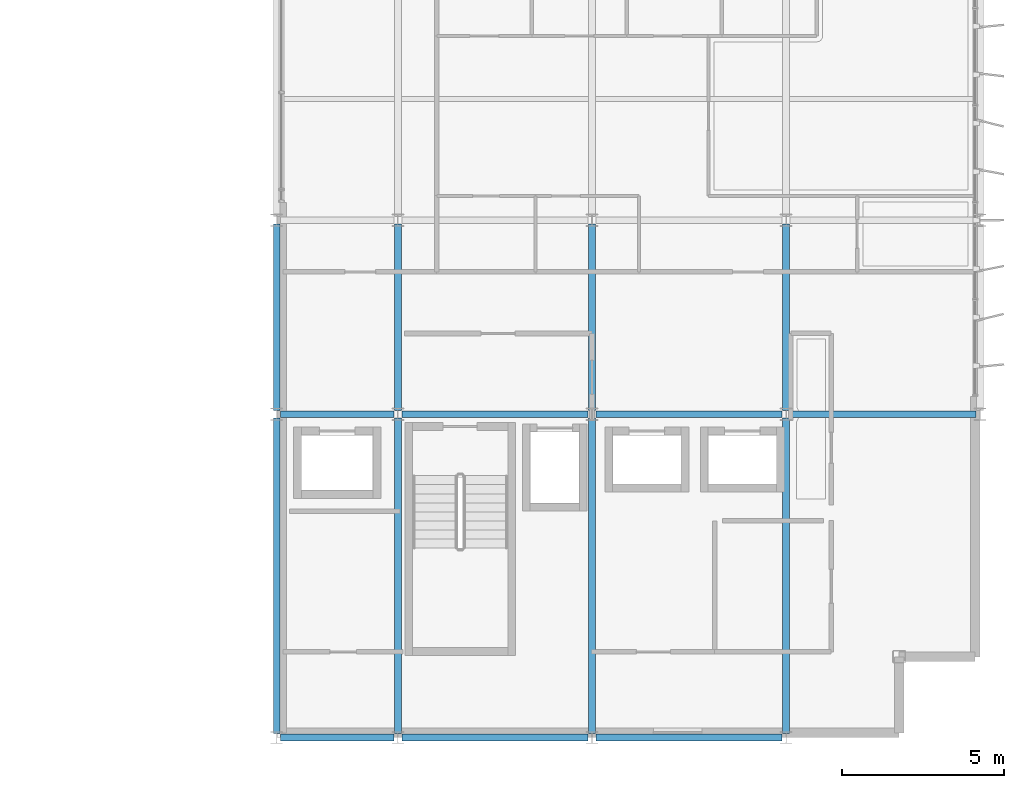
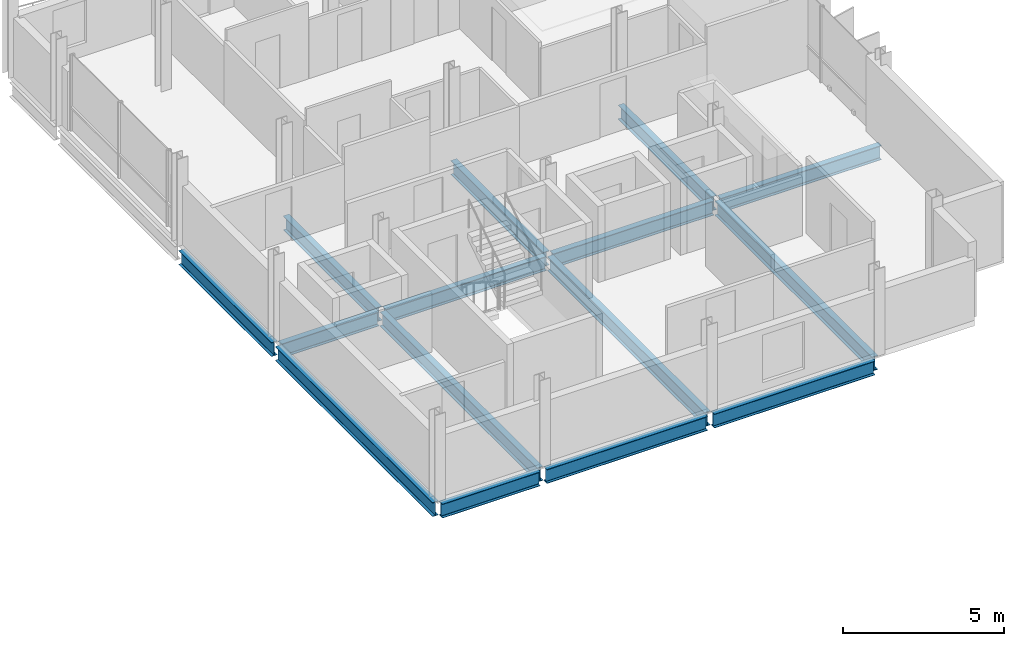
# One storey, part 10 of 30: 15 beams.
"""IFC4 building model written with IfcOpenShell, lengths in metres."""

from ifc_helpers import new_model, si_unit, direction, frame, origin, origin_2d, place, context, subcontext, project, spatial, i_section, extrude, material, material_profile, profile_set, type_object, element, save


model = new_model("IFC4")

# Units and contexts
model_context = context("Model", 3, precision=1e-05, world=origin(), true_north=direction((0.0, 1.0)))
body_context = subcontext(model_context, "Body", "Model", "MODEL_VIEW")
ifc_project = project(units=[si_unit("LENGTHUNIT", "METRE"), si_unit("AREAUNIT", "SQUARE_METRE"), si_unit("VOLUMEUNIT", "CUBIC_METRE"), si_unit("PLANEANGLEUNIT", "RADIAN"), si_unit("MASSUNIT", "GRAM", prefix="KILO")], contexts=[model_context])

# Site, building, storey
site_placement = place(None, origin())
site = spatial("IfcSite", under=ifc_project, at=site_placement, CompositionType="ELEMENT")
building_placement = place(site_placement, origin())
building = spatial("IfcBuilding", under=site, at=building_placement, Name="Brevholm Reach", CompositionType="ELEMENT")
storey_placement = place(building_placement, frame((0.0, 0.0, 211.10009765625)))
storey = spatial("IfcBuildingStorey", under=building, at=storey_placement, Name="L64", CompositionType="ELEMENT", Elevation=211.10009765625)

# Beams
ifc_material_1 = material(Name="Structural Steel S355J2", Category="steel")
ifc_material_profile_1 = material_profile(ifc_material_1, i_section(OverallWidth=0.209228515625, OverallDepth=0.533203125, WebThickness=0.010009765625, FlangeThickness=0.015625, FilletRadius=0.0126953125, at=origin_2d()), Name="UKB 533x210x92")
ifc_profile_set_1 = profile_set([ifc_material_profile_1], Name="Structural Steel S355J2")
beam_type_1 = type_object("IfcBeamType", Name="BM-SP533", PredefinedType="SPANDREL", material=ifc_profile_set_1)
beam_1_placement = place(storey_placement, frame((38.3701171875, 0.0, -0.4765625), z_axis=(1.0, 0.0, 0.0), x_axis=(0.0, 1.0, 0.0)))
element("IfcBeam", 1, at=beam_1_placement, inside=storey, type_object=beam_type_1, Name="L64 SP-02 Framing Beam", PredefinedType="SPANDREL", context=body_context, shape_type="SweptSolid", body=[
    extrude(i_section(OverallWidth=0.209228515625, OverallDepth=0.533203125, WebThickness=0.010009765625, FlangeThickness=0.015625, FilletRadius=0.0126953125, at=origin_2d()), origin(), (0.0, 0.0, 1.0), 3.509765625),
])
for number, where, z_axis, x_axis, name in (
    (2, (42.1201171875, 0.0, -0.4765625), (1.0, 0.0, 0.0), (0.0, 1.0, 0.0), "L64 SP-02 Framing Beam"),
    (3, (48.1201171875, 0.0, -0.4765625), (1.0, 0.0, 0.0), (0.0, 1.0, 0.0), "L64 SP-02 Framing Beam"),
):
    element("IfcBeam", number, at=place(storey_placement, frame(where, z_axis=z_axis, x_axis=x_axis)), inside=storey, type_object=beam_type_1, Name=name, PredefinedType="SPANDREL", context=body_context, shape_type="SweptSolid", body=[
        extrude(i_section(OverallWidth=0.209228515625, OverallDepth=0.533203125, WebThickness=0.010009765625, FlangeThickness=0.015625, FilletRadius=0.0126953125, at=origin_2d()), origin(), (0.0, 0.0, 1.0), 5.759765625),
    ])
beam_2_placement = place(storey_placement, frame((38.25, 0.1201171875, -0.4765625), z_axis=(0.0, 1.0, 0.0), x_axis=(-1.0, 0.0, 0.0)))
element("IfcBeam", 4, at=beam_2_placement, inside=storey, type_object=beam_type_1, Name="L64 SP-02 Framing Beam", PredefinedType="SPANDREL", context=body_context, shape_type="SweptSolid", body=[
    extrude(i_section(OverallWidth=0.209228515625, OverallDepth=0.533203125, WebThickness=0.010009765625, FlangeThickness=0.015625, FilletRadius=0.0126953125, at=origin_2d()), origin(), (0.0, 0.0, 1.0), 9.759765625),
])
beam_3_placement = place(storey_placement, frame((38.25, 10.1201171875, -0.4765625), z_axis=(0.0, 1.0, 0.0), x_axis=(-1.0, 0.0, 0.0)))
element("IfcBeam", 5, at=beam_3_placement, inside=storey, type_object=beam_type_1, Name="L64 SP-02 Framing Beam", PredefinedType="SPANDREL", context=body_context, shape_type="SweptSolid", body=[
    extrude(i_section(OverallWidth=0.209228515625, OverallDepth=0.533203125, WebThickness=0.010009765625, FlangeThickness=0.015625, FilletRadius=0.0126953125, at=origin_2d()), origin(), (0.0, 0.0, 1.0), 5.759765625),
])
ifc_material_2 = material(Name="Structural Steel S355J2", Category="steel")
ifc_material_profile_2 = material_profile(ifc_material_2, i_section(OverallWidth=0.210693359375, OverallDepth=0.53955078125, WebThickness=0.01171875, FlangeThickness=0.018798828125, FilletRadius=0.0126953125, at=origin_2d()), Name="UKB 533x210x109")
ifc_profile_set_2 = profile_set([ifc_material_profile_2], Name="Structural Steel S355J2")
beam_type_2 = type_object("IfcBeamType", Name="BM-SP539", PredefinedType="SPANDREL", material=ifc_profile_set_2)
beam_4_placement = place(storey_placement, frame((38.3701171875, 10.0, -0.479736328125), z_axis=(1.0, 0.0, 0.0), x_axis=(0.0, 1.0, 0.0)))
element("IfcBeam", 6, at=beam_4_placement, inside=storey, type_object=beam_type_2, Name="L64 SP-01B Framing Beam", PredefinedType="SPANDREL", context=body_context, shape_type="SweptSolid", body=[
    extrude(i_section(OverallWidth=0.210693359375, OverallDepth=0.53955078125, WebThickness=0.01171875, FlangeThickness=0.018798828125, FilletRadius=0.0126953125, at=origin_2d()), origin(), (0.0, 0.0, 1.0), 3.509765625),
])
for number, where, z_axis, x_axis, name in (
    (7, (42.1201171875, 10.0, -0.479736328125), (1.0, 0.0, 0.0), (0.0, 1.0, 0.0), "L64 SP-01B Framing Beam"),
    (8, (48.1201171875, 10.0, -0.479736328125), (1.0, 0.0, 0.0), (0.0, 1.0, 0.0), "L64 SP-01B Framing Beam"),
    (9, (54.1201171875, 10.0, -0.479736328125), (1.0, 0.0, 0.0), (0.0, 1.0, 0.0), "L64 SP-01B Framing Beam"),
):
    element("IfcBeam", number, at=place(storey_placement, frame(where, z_axis=z_axis, x_axis=x_axis)), inside=storey, type_object=beam_type_2, Name=name, PredefinedType="SPANDREL", context=body_context, shape_type="SweptSolid", body=[
        extrude(i_section(OverallWidth=0.210693359375, OverallDepth=0.53955078125, WebThickness=0.01171875, FlangeThickness=0.018798828125, FilletRadius=0.0126953125, at=origin_2d()), origin(), (0.0, 0.0, 1.0), 5.759765625),
    ])
beam_5_placement = place(storey_placement, frame((42.0, 0.1201171875, -0.479736328125), z_axis=(0.0, 1.0, 0.0), x_axis=(-1.0, 0.0, 0.0)))
element("IfcBeam", 10, at=beam_5_placement, inside=storey, type_object=beam_type_2, Name="L64 SP-01B Framing Beam", PredefinedType="SPANDREL", context=body_context, shape_type="SweptSolid", body=[
    extrude(i_section(OverallWidth=0.210693359375, OverallDepth=0.53955078125, WebThickness=0.01171875, FlangeThickness=0.018798828125, FilletRadius=0.0126953125, at=origin_2d()), origin(), (0.0, 0.0, 1.0), 9.759765625),
])
beam_6_placement = place(storey_placement, frame((42.0, 10.1201171875, -0.479736328125), z_axis=(0.0, 1.0, 0.0), x_axis=(-1.0, 0.0, 0.0)))
element("IfcBeam", 11, at=beam_6_placement, inside=storey, type_object=beam_type_2, Name="L64 SP-01B Framing Beam", PredefinedType="SPANDREL", context=body_context, shape_type="SweptSolid", body=[
    extrude(i_section(OverallWidth=0.210693359375, OverallDepth=0.53955078125, WebThickness=0.01171875, FlangeThickness=0.018798828125, FilletRadius=0.0126953125, at=origin_2d()), origin(), (0.0, 0.0, 1.0), 5.759765625),
])
beam_7_placement = place(storey_placement, frame((48.0, 0.1201171875, -0.479736328125), z_axis=(0.0, 1.0, 0.0), x_axis=(-1.0, 0.0, 0.0)))
element("IfcBeam", 12, at=beam_7_placement, inside=storey, type_object=beam_type_2, Name="L64 SP-01B Framing Beam", PredefinedType="SPANDREL", context=body_context, shape_type="SweptSolid", body=[
    extrude(i_section(OverallWidth=0.210693359375, OverallDepth=0.53955078125, WebThickness=0.01171875, FlangeThickness=0.018798828125, FilletRadius=0.0126953125, at=origin_2d()), origin(), (0.0, 0.0, 1.0), 9.759765625),
])
beam_8_placement = place(storey_placement, frame((48.0, 10.1201171875, -0.479736328125), z_axis=(0.0, 1.0, 0.0), x_axis=(-1.0, 0.0, 0.0)))
element("IfcBeam", 13, at=beam_8_placement, inside=storey, type_object=beam_type_2, Name="L64 SP-01B Framing Beam", PredefinedType="SPANDREL", context=body_context, shape_type="SweptSolid", body=[
    extrude(i_section(OverallWidth=0.210693359375, OverallDepth=0.53955078125, WebThickness=0.01171875, FlangeThickness=0.018798828125, FilletRadius=0.0126953125, at=origin_2d()), origin(), (0.0, 0.0, 1.0), 5.759765625),
])
beam_9_placement = place(storey_placement, frame((54.0, 0.1201171875, -0.479736328125), z_axis=(0.0, 1.0, 0.0), x_axis=(-1.0, 0.0, 0.0)))
element("IfcBeam", 14, at=beam_9_placement, inside=storey, type_object=beam_type_2, Name="L64 SP-01B Framing Beam", PredefinedType="SPANDREL", context=body_context, shape_type="SweptSolid", body=[
    extrude(i_section(OverallWidth=0.210693359375, OverallDepth=0.53955078125, WebThickness=0.01171875, FlangeThickness=0.018798828125, FilletRadius=0.0126953125, at=origin_2d()), origin(), (0.0, 0.0, 1.0), 9.759765625),
])
beam_10_placement = place(storey_placement, frame((54.0, 10.1201171875, -0.479736328125), z_axis=(0.0, 1.0, 0.0), x_axis=(-1.0, 0.0, 0.0)))
element("IfcBeam", 15, at=beam_10_placement, inside=storey, type_object=beam_type_2, Name="L64 SP-01B Framing Beam", PredefinedType="SPANDREL", context=body_context, shape_type="SweptSolid", body=[
    extrude(i_section(OverallWidth=0.210693359375, OverallDepth=0.53955078125, WebThickness=0.01171875, FlangeThickness=0.018798828125, FilletRadius=0.0126953125, at=origin_2d()), origin(), (0.0, 0.0, 1.0), 5.759765625),
])

save(model, "model.ifc")
